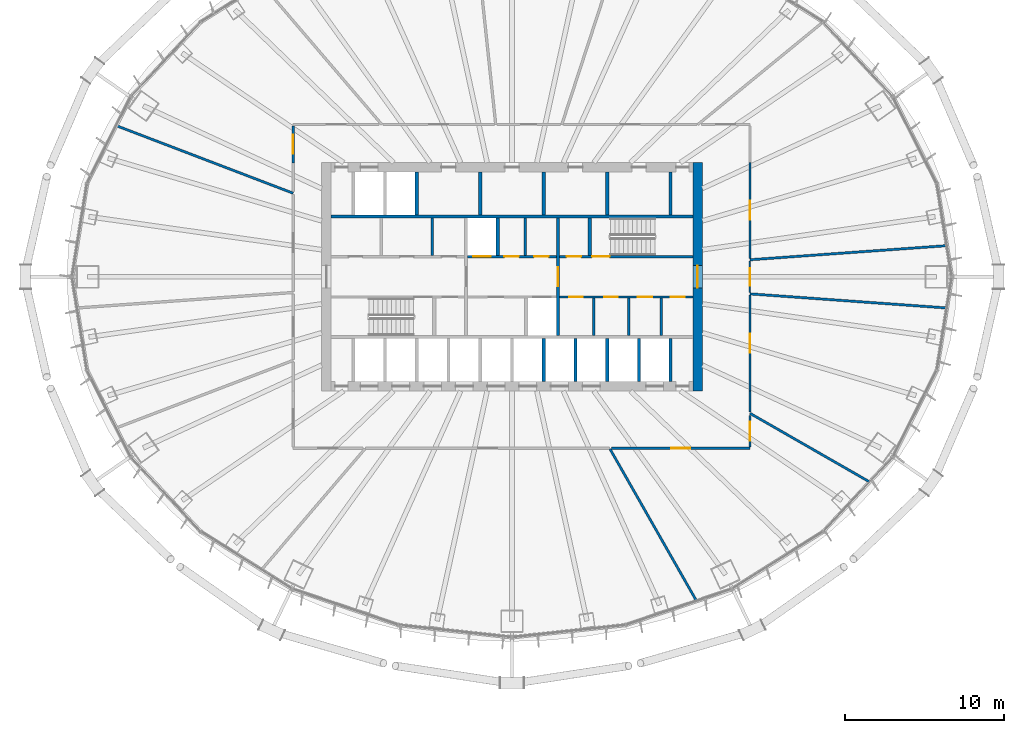
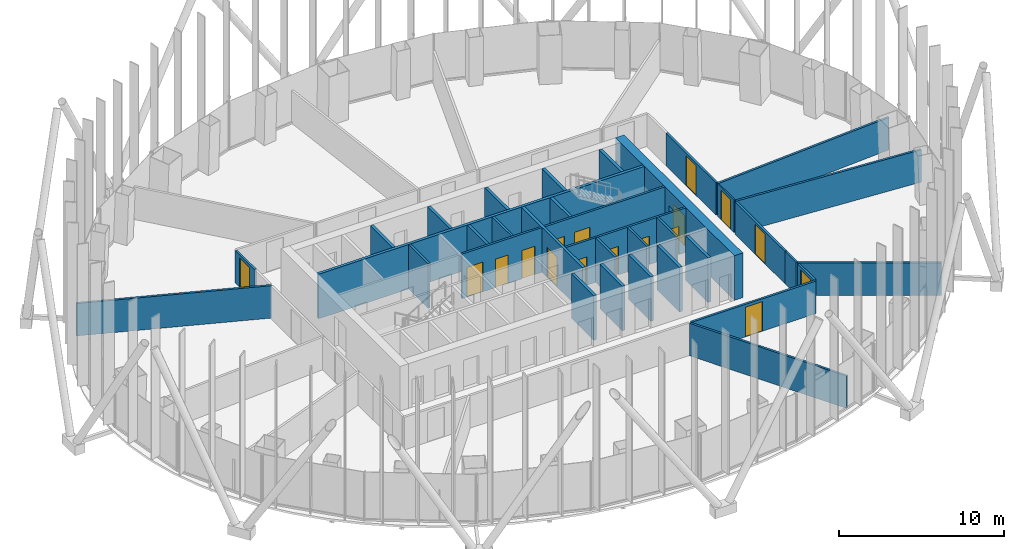
# One storey, part 9 of 22: 35 walls, 17 doors, 17 openings.
"""IFC4 building model written with IfcOpenShell, lengths in metres."""

import ifcopenshell
import ifcopenshell.guid

model = None  # the IFC model being written
_history = None  # IfcOwnerHistory: only IFC2X3 demands one
_inside = {}  # id of a spatial element -> (the spatial element, [elements in it])
_under = {}  # id of a project, library or spatial element -> (it, [spatial elements below it])
_declared = {}  # id of a project -> (the project, [libraries it declares])
_typed = {}  # id of a type object -> (the type object, [elements of that type])
_made_of = {}  # id of a material, layer set ... -> (it, [elements and type objects made of it])


def new_model(schema):
    """Start an empty IFC model of exactly this schema.

    Asked for "IFC4X3", IfcOpenShell would pick the latest addendum, in which some entities
    have other attributes; the version numbers below select the first issue.
    IFC2X3 requires an IfcOwnerHistory on every rooted entity: one is made here for all.
    """
    global model, _history
    if schema == "IFC4X3":
        model = ifcopenshell.file(schema_version=(4, 3, 0, 0))
    else:
        model = ifcopenshell.file(schema=schema)
    _inside.clear()
    _under.clear()
    _declared.clear()
    _typed.clear()
    _made_of.clear()
    _history = None
    if model.schema == "IFC2X3":
        org = make("IfcOrganization", Name="unknown")
        user = make(
            "IfcPersonAndOrganization",
            ThePerson=make("IfcPerson", FamilyName="unknown"),
            TheOrganization=org,
        )
        app = make(
            "IfcApplication",
            ApplicationDeveloper=org,
            Version="unknown",
            ApplicationFullName="unknown",
            ApplicationIdentifier="unknown",
        )
        _history = make(
            "IfcOwnerHistory",
            OwningUser=user,
            OwningApplication=app,
            ChangeAction="ADDED",
            CreationDate=0,
        )
    return model


def make(cls, **values):
    """One entity of the class cls with the attributes given. An attribute that is None is left unset."""
    return model.create_entity(
        cls, **{name: value for name, value in values.items() if value is not None}
    )


def rooted(cls, **values):
    """An entity with a GlobalId (a new one), such as an element, a storey or a relation."""
    return make(cls, GlobalId=ifcopenshell.guid.new(), OwnerHistory=_history, **values)


def si_unit(unit_type, name, prefix=None):
    """IfcSIUnit, for example si_unit("LENGTHUNIT", "METRE", prefix="MILLI")."""
    return make("IfcSIUnit", UnitType=unit_type, Prefix=prefix, Name=name)


def assignment(units):
    """IfcUnitAssignment: the units of a project."""
    return None if units is None else make("IfcUnitAssignment", Units=units)


def point(xyz):
    """IfcCartesianPoint."""
    return None if xyz is None else make("IfcCartesianPoint", Coordinates=xyz)


def direction(xyz):
    """IfcDirection."""
    return None if xyz is None else make("IfcDirection", DirectionRatios=xyz)


def frame(location, z_axis=None, x_axis=None):
    """IfcAxis2Placement3D, a coordinate frame: its origin and axes. An axis left out is left unset."""
    return make(
        "IfcAxis2Placement3D",
        Location=point(location),
        Axis=direction(z_axis),
        RefDirection=direction(x_axis),
    )


def frame_2d(location, x_axis=None):
    """IfcAxis2Placement2D, a coordinate frame in the plane: its origin and x axis."""
    return make(
        "IfcAxis2Placement2D", Location=point(location), RefDirection=direction(x_axis)
    )


def origin():
    """The frame at (0, 0, 0) with its axes left unset."""
    return frame((0.0, 0.0, 0.0))


def place(relative_to, where):
    """IfcLocalPlacement: puts the frame where relative to a parent placement (None: the world)."""
    return make(
        "IfcLocalPlacement", PlacementRelTo=relative_to, RelativePlacement=where
    )


def context(
    kind, dimensions, precision=None, world=None, true_north=None, identifier=None
):
    """IfcGeometricRepresentationContext, for example the 3D "Model" context."""
    return make(
        "IfcGeometricRepresentationContext",
        ContextIdentifier=identifier,
        ContextType=kind,
        CoordinateSpaceDimension=dimensions,
        Precision=precision,
        WorldCoordinateSystem=world,
        TrueNorth=true_north,
    )


def subcontext(parent, identifier, kind, view, scale=None):
    """IfcGeometricRepresentationSubContext, for example "Body" below "Model"."""
    return make(
        "IfcGeometricRepresentationSubContext",
        ContextIdentifier=identifier,
        ContextType=kind,
        ParentContext=parent,
        TargetScale=scale,
        TargetView=view,
    )


def project(units=None, contexts=None):
    """IfcProject with its units and contexts."""
    return rooted(
        "IfcProject",
        Name="project",
        RepresentationContexts=contexts,
        UnitsInContext=assignment(units),
    )


def spatial(cls, under=None, at=None, **own):
    """A site, building, storey or space (cls), placed at a placement, below another one or the project."""
    s = rooted(cls, ObjectPlacement=at, **own)
    if under is not None:
        _under.setdefault(under.id(), (under, []))[1].append(s)
    return s


def profile(cls, at=None, kind="AREA", **sizes):
    """A parametric profile (cls). Its sizes go by their IFC names, for example OverallWidth=200.0."""
    return make(cls, ProfileType=kind, Position=at, **sizes)


def rectangle(**sizes):
    """IfcRectangleProfileDef."""
    return profile("IfcRectangleProfileDef", **sizes)


def extrude(swept, where, along, depth):
    """IfcExtrudedAreaSolid: the profile swept, set in the frame where, extruded along a direction by depth."""
    return make(
        "IfcExtrudedAreaSolid",
        SweptArea=swept,
        Position=where,
        ExtrudedDirection=direction(along),
        Depth=depth,
    )


def shape(context_of_items, identifier, shape_type, items):
    """IfcShapeRepresentation: the items that make up one representation, for example the "Body"."""
    return make(
        "IfcShapeRepresentation",
        ContextOfItems=context_of_items,
        RepresentationIdentifier=identifier,
        RepresentationType=shape_type,
        Items=items,
    )


def material(Name=None, Category=None):
    """IfcMaterial."""
    return make("IfcMaterial", Name=Name, Category=Category)


def layer(
    of_material, thickness, ventilated=None, Name=None, Category=None, Priority=None
):
    """IfcMaterialLayer: one layer of a wall or slab, of a material (None: an air gap)."""
    return make(
        "IfcMaterialLayer",
        Material=of_material,
        LayerThickness=thickness,
        IsVentilated=ventilated,
        Name=Name,
        Category=Category,
        Priority=Priority,
    )


def layer_set(layers, Name=None):
    """IfcMaterialLayerSet."""
    return make("IfcMaterialLayerSet", MaterialLayers=layers, LayerSetName=Name)


def made_of(thing, what):
    """Note that an element or type object is made of a material, layer set ...; save() writes the relation."""
    if what is not None:
        _made_of.setdefault(what.id(), (what, []))[1].append(thing)
    return thing


def type_object(cls, material=None, **own):
    """A type object (cls), such as IfcWallType, which elements share."""
    return made_of(rooted(cls, **own), material)


def element(
    cls,
    number,
    at=None,
    inside=None,
    cuts=None,
    type_object=None,
    material=None,
    context=None,
    identifier="Body",
    shape_type=None,
    held_by="IfcProductDefinitionShape",
    body=None,
    shapes=None,
    **own,
):
    """One element of the class cls, such as IfcWall. Its Tag is "e" and its number.

    at: its placement. inside: the storey or other place that contains it. cuts: it is an
    opening in that element (IfcRelVoidsElement). A single representation is given by context,
    identifier, shape_type and body (its items); several are given by shapes. held_by: the class
    of the entity that holds the representations. save() writes the other relations.
    """
    e = rooted(cls, Tag="e%d" % number, ObjectPlacement=at, **own)
    if body is not None:
        shapes = [shape(context, identifier, shape_type, body)]
    if shapes is not None:
        e.Representation = make(held_by, Representations=shapes)
    if inside is not None:
        _inside.setdefault(inside.id(), (inside, []))[1].append(e)
    if cuts is not None:
        rooted(
            "IfcRelVoidsElement", RelatingBuildingElement=cuts, RelatedOpeningElement=e
        )
    if type_object is not None:
        _typed.setdefault(type_object.id(), (type_object, []))[1].append(e)
    return made_of(e, material)


def fill(opening, filler):
    """IfcRelFillsElement: the door or window that sits in an opening."""
    return rooted(
        "IfcRelFillsElement",
        RelatingOpeningElement=opening,
        RelatedBuildingElement=filler,
    )


def aggregate(whole, parts):
    """IfcRelAggregates: a whole, such as a stair, and the parts it consists of."""
    return rooted("IfcRelAggregates", RelatingObject=whole, RelatedObjects=parts)


def save(model, path):
    """Write the relations noted so far, then the file.

    IfcRelAggregates (storeys below a building ...), IfcRelContainedInSpatialStructure (elements
    in a storey), IfcRelDefinesByType, IfcRelAssociatesMaterial and IfcRelDeclares: one each for
    every whole, place, type object, material and project.
    """
    for whole, parts in _under.values():
        aggregate(whole, parts)
    for where, things in _inside.values():
        rooted(
            "IfcRelContainedInSpatialStructure",
            RelatedElements=things,
            RelatingStructure=where,
        )
    for kind, things in _typed.values():
        rooted("IfcRelDefinesByType", RelatedObjects=things, RelatingType=kind)
    for what, things in _made_of.values():
        rooted("IfcRelAssociatesMaterial", RelatedObjects=things, RelatingMaterial=what)
    for by, libraries in _declared.values():
        rooted("IfcRelDeclares", RelatingContext=by, RelatedDefinitions=libraries)
    model.write(path)


model = new_model("IFC4")

# Units and contexts
model_context = context("Model", 3, precision=1e-05, world=origin(), true_north=direction((0.0, 1.0)))
body_context = subcontext(model_context, "Body", "Model", "MODEL_VIEW")
ifc_project = project(units=[si_unit("LENGTHUNIT", "METRE"), si_unit("AREAUNIT", "SQUARE_METRE"), si_unit("VOLUMEUNIT", "CUBIC_METRE"), si_unit("PLANEANGLEUNIT", "RADIAN"), si_unit("MASSUNIT", "GRAM", prefix="KILO")], contexts=[model_context])

# Site, building, storey
site_placement = place(None, origin())
site = spatial("IfcSite", under=ifc_project, at=site_placement, CompositionType="ELEMENT")
building_placement = place(site_placement, origin())
building = spatial("IfcBuilding", under=site, at=building_placement, Name="Siaravel Broadcast Tower", CompositionType="ELEMENT")
storey_placement = place(building_placement, frame((0.0, 0.0, 48.199951171875)))
storey = spatial("IfcBuildingStorey", under=building, at=storey_placement, Name="L10", CompositionType="ELEMENT", Elevation=48.199951171875)

# Walls
ifc_material_1 = material(Name="Concrete blockwork", Category="masonry")
ifc_layer_1 = layer(ifc_material_1, 0.14990234375)
ifc_layer_set_1 = layer_set([ifc_layer_1], Name="Concrete blockwork")
wall_type_1 = type_object("IfcWallType", Name="Core partition 150", PredefinedType="PARTITIONING", material=ifc_layer_set_1)
for number, where, z_axis, x_axis, name in (
    (1, (-5.01904296875, 1.35009765625, 0.0), (0.0, 0.0, 1.0), (0.0, 1.0, 0.0), "L10 core partition PNW1"),
    (2, (5.14208984375, -3.699951171875, 0.0), (0.0, 0.0, 1.0), (0.0, 1.0, 0.0), "L10 core partition PSE0"),
    (3, (7.35888671875, -3.699951171875, 0.0), (0.0, 0.0, 1.0), (0.0, 1.0, 0.0), "L10 core partition PSE1"),
    (4, (9.4169921875, -3.699951171875, 0.0), (0.0, 0.0, 1.0), (0.0, 1.0, 0.0), "L10 core partition PSE2"),
    (5, (0.827392578125, 1.35009765625, 0.0), (0.0, 0.0, 1.0), (0.0, 1.0, 0.0), "L10 core partition PNM0"),
):
    element("IfcWall", number, at=place(storey_placement, frame(where, z_axis=z_axis, x_axis=x_axis)), inside=storey, type_object=wall_type_1, Name=name, PredefinedType="PARTITIONING", context=body_context, shape_type="SweptSolid", body=[
        extrude(rectangle(XDim=2.349853515625, YDim=0.14990234375, at=frame_2d((1.1748046875, 0.0))), origin(), (0.0, 0.0, 1.0), 3.300048828125),
    ])
ifc_layer_2 = layer(ifc_material_1, 0.199951171875)
ifc_layer_set_2 = layer_set([ifc_layer_2], Name="Concrete blockwork")
wall_type_2 = type_object("IfcWallType", Name="Core partition 200", PredefinedType="PARTITIONING", material=ifc_layer_set_2)
for number, where, z_axis, x_axis, name in (
    (6, (-2.0, 3.89990234375, 0.0), (0.0, 0.0, 1.0), (0.0, 1.0, 0.0), "L10 core partition PFN2"),
    (7, (2.0, 3.89990234375, 0.0), (0.0, 0.0, 1.0), (0.0, 1.0, 0.0), "L10 core partition PFN4"),
    (8, (6.0, 3.89990234375, 0.0), (0.0, 0.0, 1.0), (0.0, 1.0, 0.0), "L10 core partition PFN6"),
):
    element("IfcWall", number, at=place(storey_placement, frame(where, z_axis=z_axis, x_axis=x_axis)), inside=storey, type_object=wall_type_2, Name=name, PredefinedType="PARTITIONING", context=body_context, shape_type="SweptSolid", body=[
        extrude(rectangle(XDim=2.7001953125, YDim=0.199951171875, at=frame_2d((1.35009765625, 0.0))), origin(), (0.0, 0.0, 1.0), 3.300048828125),
    ])

# Wall, opening, door
ifc_material_2 = material(Name="Concrete C60/75", Category="concrete")
ifc_layer_3 = layer(ifc_material_2, 0.60009765625)
ifc_layer_set_3 = layer_set([ifc_layer_3], Name="Concrete C60/75")
wall_type_3 = type_object("IfcWallType", Name="Core wall 600", PredefinedType="SHEAR", material=ifc_layer_set_3)
wall_1_placement = place(storey_placement, frame((11.699951171875, -7.199951171875, 0.0), z_axis=(0.0, 0.0, 1.0), x_axis=(0.0, 1.0, 0.0)))
wall_1 = element("IfcWall", 9, at=wall_1_placement, inside=storey, type_object=wall_type_3, Name="L10 core wall OE", PredefinedType="SHEAR", context=body_context, shape_type="SweptSolid", body=[
    extrude(rectangle(XDim=14.39990234375, YDim=0.60009765625, at=frame_2d((7.199951171875, 0.0))), origin(), (0.0, 0.0, 1.0), 3.300048828125),
])
opening_1_placement = place(wall_1_placement, frame((6.5, 0.0, 0.0)))
opening_1 = element("IfcOpeningElement", 10, at=opening_1_placement, cuts=wall_1, Name="Opening L10-DX-E", PredefinedType="OPENING", context=body_context, shape_type="SweptSolid", body=[
    extrude(rectangle(XDim=1.39990234375, YDim=2.199951171875, at=frame_2d((0.699951171875, 1.10009765625))), frame((0.0, 0.31005859375, 0.0), z_axis=(0.0, -1.0, 0.0), x_axis=(1.0, 0.0, 0.0)), (0.0, 0.0, 1.0), 0.6201171875),
])
ifc_material_3 = material(Name="Steel", Category="steel")
door_type_1 = type_object("IfcDoorType", Name="Core exit door 1400", OperationType="DOUBLE_DOOR_SINGLE_SWING", PredefinedType="DOOR", material=ifc_material_3)
door_1_placement = place(opening_1_placement, origin())
door_1 = element("IfcDoor", 11, at=door_1_placement, inside=storey, type_object=door_type_1, Name="L10 door DX-E", OperationType="DOUBLE_DOOR_SINGLE_SWING", OverallHeight=2.199951171875, OverallWidth=1.39990234375, PredefinedType="DOOR", context=body_context, shape_type="SweptSolid", body=[
    extrude(rectangle(XDim=1.39990234375, YDim=2.199951171875, at=frame_2d((0.699951171875, 1.10009765625))), frame((0.0, 0.02490234375, 0.0), z_axis=(0.0, -1.0, 0.0), x_axis=(1.0, 0.0, 0.0)), (0.0, 0.0, 1.0), 0.050048828125),
])
fill(opening_1, door_1)

# Wall, openings, doors
ifc_material_4 = material(Name="Gypsum board partition", Category="gypsum")
ifc_layer_4 = layer(ifc_material_4, 0.14990234375)
ifc_layer_set_4 = layer_set([ifc_layer_4], Name="Gypsum board partition")
wall_type_4 = type_object("IfcWallType", Name="Corridor wall 150", PredefinedType="PARTITIONING", material=ifc_layer_set_4)
wall_2_placement = place(storey_placement, frame((3.0, -1.27490234375, 0.0), z_axis=(0.0, 0.0, 1.0), x_axis=(1.0, 0.0, 0.0)))
wall_2 = element("IfcWall", 12, at=wall_2_placement, inside=storey, type_object=wall_type_4, Name="L10 core partition CSE", PredefinedType="PARTITIONING", context=body_context, shape_type="SweptSolid", body=[
    extrude(rectangle(XDim=8.39990234375, YDim=0.14990234375, at=frame_2d((4.199951171875, 0.0))), origin(), (0.0, 0.0, 1.0), 3.300048828125),
])
opening_2_placement = place(wall_2_placement, frame((0.6083984375, 0.0, 0.0)))
opening_2 = element("IfcOpeningElement", 13, at=opening_2_placement, cuts=wall_2, Name="Opening L10-DSE0", PredefinedType="OPENING", context=body_context, shape_type="SweptSolid", body=[
    extrude(rectangle(XDim=0.85009765625, YDim=2.10009765625, at=frame_2d((0.425048828125, 1.050048828125))), frame((0.0, 0.0849609375, 0.0), z_axis=(0.0, -1.0, 0.0), x_axis=(1.0, 0.0, 0.0)), (0.0, 0.0, 1.0), 0.169921875),
])
opening_3_placement = place(wall_2_placement, frame((2.825439453125, 0.0, 0.0)))
opening_3 = element("IfcOpeningElement", 14, at=opening_3_placement, cuts=wall_2, Name="Opening L10-DSE1", PredefinedType="OPENING", context=body_context, shape_type="SweptSolid", body=[
    extrude(rectangle(XDim=0.85009765625, YDim=2.10009765625, at=frame_2d((0.425048828125, 1.050048828125))), frame((0.0, 0.0849609375, 0.0), z_axis=(0.0, -1.0, 0.0), x_axis=(1.0, 0.0, 0.0)), (0.0, 0.0, 1.0), 0.169921875),
])
opening_4_placement = place(wall_2_placement, frame((4.93798828125, 0.0, 0.0)))
opening_4 = element("IfcOpeningElement", 15, at=opening_4_placement, cuts=wall_2, Name="Opening L10-DSE2", PredefinedType="OPENING", context=body_context, shape_type="SweptSolid", body=[
    extrude(rectangle(XDim=0.89990234375, YDim=2.10009765625, at=frame_2d((0.449951171875, 1.050048828125))), frame((0.0, 0.0849609375, 0.0), z_axis=(0.0, -1.0, 0.0), x_axis=(1.0, 0.0, 0.0)), (0.0, 0.0, 1.0), 0.169921875),
])
opening_5_placement = place(wall_2_placement, frame((6.99609375, 0.0, 0.0)))
opening_5 = element("IfcOpeningElement", 16, at=opening_5_placement, cuts=wall_2, Name="Opening L10-DSE3", PredefinedType="OPENING", context=body_context, shape_type="SweptSolid", body=[
    extrude(rectangle(XDim=0.89990234375, YDim=2.10009765625, at=frame_2d((0.449951171875, 1.050048828125))), frame((0.0, 0.0849609375, 0.0), z_axis=(0.0, -1.0, 0.0), x_axis=(1.0, 0.0, 0.0)), (0.0, 0.0, 1.0), 0.169921875),
])
ifc_material_5 = material(Name="Timber veneer", Category="wood")
door_type_2 = type_object("IfcDoorType", Name="Core room door 900", OperationType="SINGLE_SWING_LEFT", PredefinedType="DOOR", material=ifc_material_5)
door_2_placement = place(opening_4_placement, origin())
door_2 = element("IfcDoor", 17, at=door_2_placement, inside=storey, type_object=door_type_2, Name="L10 door DSE2", OperationType="SINGLE_SWING_LEFT", OverallHeight=2.10009765625, OverallWidth=0.89990234375, PredefinedType="DOOR", context=body_context, shape_type="SweptSolid", body=[
    extrude(rectangle(XDim=0.89990234375, YDim=2.10009765625, at=frame_2d((0.449951171875, 1.050048828125))), frame((0.0, 0.02490234375, 0.0), z_axis=(0.0, -1.0, 0.0), x_axis=(1.0, 0.0, 0.0)), (0.0, 0.0, 1.0), 0.050048828125),
])
fill(opening_4, door_2)
door_3_placement = place(opening_5_placement, origin())
door_3 = element("IfcDoor", 18, at=door_3_placement, inside=storey, type_object=door_type_2, Name="L10 door DSE3", OperationType="SINGLE_SWING_LEFT", OverallHeight=2.10009765625, OverallWidth=0.89990234375, PredefinedType="DOOR", context=body_context, shape_type="SweptSolid", body=[
    extrude(rectangle(XDim=0.89990234375, YDim=2.10009765625, at=frame_2d((0.449951171875, 1.050048828125))), frame((0.0, 0.02490234375, 0.0), z_axis=(0.0, -1.0, 0.0), x_axis=(1.0, 0.0, 0.0)), (0.0, 0.0, 1.0), 0.050048828125),
])
fill(opening_5, door_3)
door_type_3 = type_object("IfcDoorType", Name="Core toilet door 850", OperationType="SINGLE_SWING_LEFT", PredefinedType="DOOR", material=ifc_material_5)
door_4_placement = place(opening_2_placement, origin())
door_4 = element("IfcDoor", 19, at=door_4_placement, inside=storey, type_object=door_type_3, Name="L10 door DSE0", OperationType="SINGLE_SWING_LEFT", OverallHeight=2.10009765625, OverallWidth=0.85009765625, PredefinedType="DOOR", context=body_context, shape_type="SweptSolid", body=[
    extrude(rectangle(XDim=0.85009765625, YDim=2.10009765625, at=frame_2d((0.425048828125, 1.050048828125))), frame((0.0, 0.02490234375, 0.0), z_axis=(0.0, -1.0, 0.0), x_axis=(1.0, 0.0, 0.0)), (0.0, 0.0, 1.0), 0.050048828125),
])
fill(opening_2, door_4)
door_5_placement = place(opening_3_placement, origin())
door_5 = element("IfcDoor", 20, at=door_5_placement, inside=storey, type_object=door_type_3, Name="L10 door DSE1", OperationType="SINGLE_SWING_LEFT", OverallHeight=2.10009765625, OverallWidth=0.85009765625, PredefinedType="DOOR", context=body_context, shape_type="SweptSolid", body=[
    extrude(rectangle(XDim=0.85009765625, YDim=2.10009765625, at=frame_2d((0.425048828125, 1.050048828125))), frame((0.0, 0.02490234375, 0.0), z_axis=(0.0, -1.0, 0.0), x_axis=(1.0, 0.0, 0.0)), (0.0, 0.0, 1.0), 0.050048828125),
])
fill(opening_3, door_5)

# Wall, opening, door
wall_3_placement = place(storey_placement, frame((6.279296875, -10.800048828125, 0.0), z_axis=(0.0, 0.0, 1.0), x_axis=(1.0, 0.0, 0.0)))
wall_3 = element("IfcWall", 21, at=wall_3_placement, inside=storey, type_object=wall_type_4, Name="L10 partition 13", PredefinedType="PARTITIONING", context=body_context, shape_type="SweptSolid", body=[
    extrude(rectangle(XDim=8.720703125, YDim=0.14990234375, at=frame_2d((4.3603515625, 0.0))), origin(), (0.0, 0.0, 1.0), 2.400146484375),
])
opening_6_placement = place(wall_3_placement, frame((3.760498046875, 0.0, 0.0)))
opening_6 = element("IfcOpeningElement", 22, at=opening_6_placement, cuts=wall_3, Name="Opening L10-013", PredefinedType="OPENING", context=body_context, shape_type="SweptSolid", body=[
    extrude(rectangle(XDim=1.199951171875, YDim=2.199951171875, at=frame_2d((0.60009765625, 1.10009765625))), frame((0.0, 0.0849609375, 0.0), z_axis=(0.0, -1.0, 0.0), x_axis=(1.0, 0.0, 0.0)), (0.0, 0.0, 1.0), 0.169921875),
])
door_type_4 = type_object("IfcDoorType", Name="Office double door 1200", OperationType="DOUBLE_DOOR_SINGLE_SWING", PredefinedType="DOOR", material=ifc_material_5)
door_6_placement = place(opening_6_placement, origin())
door_6 = element("IfcDoor", 23, at=door_6_placement, inside=storey, type_object=door_type_4, Name="L10 door to Open plan newsroom", OperationType="DOUBLE_DOOR_SINGLE_SWING", OverallHeight=2.199951171875, OverallWidth=1.199951171875, PredefinedType="DOOR", context=body_context, shape_type="SweptSolid", body=[
    extrude(rectangle(XDim=1.199951171875, YDim=2.199951171875, at=frame_2d((0.60009765625, 1.10009765625))), frame((0.0, 0.02490234375, 0.0), z_axis=(0.0, -1.0, 0.0), x_axis=(1.0, 0.0, 0.0)), (0.0, 0.0, 1.0), 0.050048828125),
])
fill(opening_6, door_6)

wall_4_placement = place(storey_placement, frame((15.0, -7.2119140625, 0.0), z_axis=(0.0, 0.0, 1.0), x_axis=(0.0, 1.0, 0.0)))
wall_4 = element("IfcWall", 24, at=wall_4_placement, inside=storey, type_object=wall_type_4, Name="L10 partition 18", PredefinedType="PARTITIONING", context=body_context, shape_type="SweptSolid", body=[
    extrude(rectangle(XDim=6.054443359375, YDim=0.14990234375, at=frame_2d((3.02734375, 0.0))), origin(), (0.0, 0.0, 1.0), 2.400146484375),
])
opening_7_placement = place(wall_4_placement, frame((2.42724609375, 0.0, 0.0)))
opening_7 = element("IfcOpeningElement", 25, at=opening_7_placement, cuts=wall_4, Name="Opening L10-015", PredefinedType="OPENING", context=body_context, shape_type="SweptSolid", body=[
    extrude(rectangle(XDim=1.199951171875, YDim=2.199951171875, at=frame_2d((0.60009765625, 1.10009765625))), frame((0.0, 0.0849609375, 0.0), z_axis=(0.0, -1.0, 0.0), x_axis=(1.0, 0.0, 0.0)), (0.0, 0.0, 1.0), 0.169921875),
])
door_7_placement = place(opening_7_placement, origin())
door_7 = element("IfcDoor", 26, at=door_7_placement, inside=storey, type_object=door_type_4, Name="L10 door to Open plan newsroom", OperationType="DOUBLE_DOOR_SINGLE_SWING", OverallHeight=2.199951171875, OverallWidth=1.199951171875, PredefinedType="DOOR", context=body_context, shape_type="SweptSolid", body=[
    extrude(rectangle(XDim=1.199951171875, YDim=2.199951171875, at=frame_2d((0.60009765625, 1.10009765625))), frame((0.0, 0.02490234375, 0.0), z_axis=(0.0, -1.0, 0.0), x_axis=(1.0, 0.0, 0.0)), (0.0, 0.0, 1.0), 0.050048828125),
])
fill(opening_7, door_7)

wall_5_placement = place(storey_placement, frame((15.0, 1.157470703125, 0.0), z_axis=(0.0, 0.0, 1.0), x_axis=(0.0, 1.0, 0.0)))
wall_5 = element("IfcWall", 27, at=wall_5_placement, inside=storey, type_object=wall_type_4, Name="L10 partition 19", PredefinedType="PARTITIONING", context=body_context, shape_type="SweptSolid", body=[
    extrude(rectangle(XDim=6.054443359375, YDim=0.14990234375, at=frame_2d((3.02734375, 0.0))), origin(), (0.0, 0.0, 1.0), 2.400146484375),
])
opening_8_placement = place(wall_5_placement, frame((2.42724609375, 0.0, 0.0)))
opening_8 = element("IfcOpeningElement", 28, at=opening_8_placement, cuts=wall_5, Name="Opening L10-001", PredefinedType="OPENING", context=body_context, shape_type="SweptSolid", body=[
    extrude(rectangle(XDim=1.199951171875, YDim=2.199951171875, at=frame_2d((0.60009765625, 1.10009765625))), frame((0.0, 0.0849609375, 0.0), z_axis=(0.0, -1.0, 0.0), x_axis=(1.0, 0.0, 0.0)), (0.0, 0.0, 1.0), 0.169921875),
])
door_8_placement = place(opening_8_placement, origin())
door_8 = element("IfcDoor", 29, at=door_8_placement, inside=storey, type_object=door_type_4, Name="L10 door to Open plan newsroom", OperationType="DOUBLE_DOOR_SINGLE_SWING", OverallHeight=2.199951171875, OverallWidth=1.199951171875, PredefinedType="DOOR", context=body_context, shape_type="SweptSolid", body=[
    extrude(rectangle(XDim=1.199951171875, YDim=2.199951171875, at=frame_2d((0.60009765625, 1.10009765625))), frame((0.0, 0.02490234375, 0.0), z_axis=(0.0, -1.0, 0.0), x_axis=(1.0, 0.0, 0.0)), (0.0, 0.0, 1.0), 0.050048828125),
])
fill(opening_8, door_8)

wall_6_placement = place(storey_placement, frame((-13.800048828125, 9.52294921875, 0.0), z_axis=(0.0, 0.0, 1.0), x_axis=(0.0, -1.0, 0.0)))
wall_6 = element("IfcWall", 30, at=wall_6_placement, inside=storey, type_object=wall_type_4, Name="L10 partition 26", PredefinedType="PARTITIONING", context=body_context, shape_type="SweptSolid", body=[
    extrude(rectangle(XDim=2.3349609375, YDim=0.14990234375, at=frame_2d((1.16748046875, 0.0))), origin(), (0.0, 0.0, 1.0), 2.400146484375),
])
opening_9_placement = place(wall_6_placement, frame((0.5673828125, 0.0, 0.0)))
opening_9 = element("IfcOpeningElement", 31, at=opening_9_placement, cuts=wall_6, Name="Opening L10-007", PredefinedType="OPENING", context=body_context, shape_type="SweptSolid", body=[
    extrude(rectangle(XDim=1.199951171875, YDim=2.199951171875, at=frame_2d((0.60009765625, 1.10009765625))), frame((0.0, 0.0849609375, 0.0), z_axis=(0.0, -1.0, 0.0), x_axis=(1.0, 0.0, 0.0)), (0.0, 0.0, 1.0), 0.169921875),
])
door_9_placement = place(opening_9_placement, origin())
door_9 = element("IfcDoor", 32, at=door_9_placement, inside=storey, type_object=door_type_4, Name="L10 door to Open plan newsroom", OperationType="DOUBLE_DOOR_SINGLE_SWING", OverallHeight=2.199951171875, OverallWidth=1.199951171875, PredefinedType="DOOR", context=body_context, shape_type="SweptSolid", body=[
    extrude(rectangle(XDim=1.199951171875, YDim=2.199951171875, at=frame_2d((0.60009765625, 1.10009765625))), frame((0.0, 0.02490234375, 0.0), z_axis=(0.0, -1.0, 0.0), x_axis=(1.0, 0.0, 0.0)), (0.0, 0.0, 1.0), 0.050048828125),
])
fill(opening_9, door_9)

wall_7_placement = place(storey_placement, frame((15.0, -10.722900390625, 0.0), z_axis=(0.0, 0.0, 1.0), x_axis=(0.0, 1.0, 0.0)))
wall_7 = element("IfcWall", 33, at=wall_7_placement, inside=storey, type_object=wall_type_4, Name="L10 partition 28", PredefinedType="PARTITIONING", context=body_context, shape_type="SweptSolid", body=[
    extrude(rectangle(XDim=1.98828125, YDim=0.14990234375, at=frame_2d((0.994140625, 0.0))), origin(), (0.0, 0.0, 1.0), 2.400146484375),
])
opening_10_placement = place(wall_7_placement, frame((0.394287109375, 0.0, 0.0)))
opening_10 = element("IfcOpeningElement", 34, at=opening_10_placement, cuts=wall_7, Name="Opening L10-014", PredefinedType="OPENING", context=body_context, shape_type="SweptSolid", body=[
    extrude(rectangle(XDim=1.199951171875, YDim=2.199951171875, at=frame_2d((0.60009765625, 1.10009765625))), frame((0.0, 0.0849609375, 0.0), z_axis=(0.0, -1.0, 0.0), x_axis=(1.0, 0.0, 0.0)), (0.0, 0.0, 1.0), 0.169921875),
])
door_10_placement = place(opening_10_placement, origin())
door_10 = element("IfcDoor", 35, at=door_10_placement, inside=storey, type_object=door_type_4, Name="L10 door to Open plan newsroom", OperationType="DOUBLE_DOOR_SINGLE_SWING", OverallHeight=2.199951171875, OverallWidth=1.199951171875, PredefinedType="DOOR", context=body_context, shape_type="SweptSolid", body=[
    extrude(rectangle(XDim=1.199951171875, YDim=2.199951171875, at=frame_2d((0.60009765625, 1.10009765625))), frame((0.0, 0.02490234375, 0.0), z_axis=(0.0, -1.0, 0.0), x_axis=(1.0, 0.0, 0.0)), (0.0, 0.0, 1.0), 0.050048828125),
])
fill(opening_10, door_10)

# Wall
wall_8_placement = place(storey_placement, frame((15.0, -8.5361328125, 0.0), z_axis=(0.0, 0.0, 1.0), x_axis=(0.0, 1.0, 0.0)))
element("IfcWall", 36, at=wall_8_placement, inside=storey, type_object=wall_type_4, Name="L10 partition 32", PredefinedType="PARTITIONING", context=body_context, shape_type="SweptSolid", body=[
    extrude(rectangle(XDim=1.3232421875, YDim=0.14990234375, at=frame_2d((0.66162109375, 0.0))), origin(), (0.0, 0.0, 1.0), 2.400146484375),
])

# Wall, opening, door
ifc_material_6 = material(Name="Glazed aluminium partition", Category="aluminium")
ifc_layer_5 = layer(ifc_material_6, 0.10009765625)
ifc_layer_set_5 = layer_set([ifc_layer_5], Name="Glazed aluminium partition")
wall_type_5 = type_object("IfcWallType", Name="Glazed meeting room partition 100", PredefinedType="PARTITIONING", material=ifc_layer_set_5)
wall_9_placement = place(storey_placement, frame((15.0, -0.998046875, 0.0), z_axis=(0.0, 0.0, 1.0), x_axis=(0.0, 1.0, 0.0)))
wall_9 = element("IfcWall", 37, at=wall_9_placement, inside=storey, type_object=wall_type_5, Name="L10 partition 29", PredefinedType="PARTITIONING", context=body_context, shape_type="SweptSolid", body=[
    extrude(rectangle(XDim=1.99609375, YDim=0.10009765625, at=frame_2d((0.998046875, 0.0))), origin(), (0.0, 0.0, 1.0), 2.400146484375),
])
opening_11_placement = place(wall_9_placement, frame((0.447998046875, 0.0, 0.0)))
opening_11 = element("IfcOpeningElement", 38, at=opening_11_placement, cuts=wall_9, Name="Opening L10-016", PredefinedType="OPENING", context=body_context, shape_type="SweptSolid", body=[
    extrude(rectangle(XDim=1.10009765625, YDim=2.199951171875, at=frame_2d((0.550048828125, 1.10009765625))), frame((0.0, 0.06005859375, 0.0), z_axis=(0.0, -1.0, 0.0), x_axis=(1.0, 0.0, 0.0)), (0.0, 0.0, 1.0), 0.1201171875),
])
door_type_5 = type_object("IfcDoorType", Name="Meeting room door 1100", OperationType="SINGLE_SWING_LEFT", PredefinedType="DOOR", material=ifc_material_5)
door_11_placement = place(opening_11_placement, origin())
door_11 = element("IfcDoor", 39, at=door_11_placement, inside=storey, type_object=door_type_5, Name="L10 door to Meeting room", OperationType="SINGLE_SWING_RIGHT", OverallHeight=2.199951171875, OverallWidth=1.10009765625, PredefinedType="DOOR", context=body_context, shape_type="SweptSolid", body=[
    extrude(rectangle(XDim=1.10009765625, YDim=2.199951171875, at=frame_2d((0.550048828125, 1.10009765625))), frame((0.0, 0.02490234375, 0.0), z_axis=(0.0, -1.0, 0.0), x_axis=(1.0, 0.0, 0.0)), (0.0, 0.0, 1.0), 0.050048828125),
])
fill(opening_11, door_11)

# Walls
ifc_layer_6 = layer(ifc_material_4, 0.14990234375)
ifc_layer_set_6 = layer_set([ifc_layer_6], Name="Gypsum board partition")
wall_type_6 = type_object("IfcWallType", Name="Room partition 150", PredefinedType="PARTITIONING", material=ifc_layer_set_6)
for number, where, z_axis, x_axis, name in (
    (40, (15.0, 1.074951171875, 0.0), (0.0, 0.0, 1.0), (0.997442798, 0.071469326, 0.0), "L10 partition 5"),
    (41, (27.45703125, -1.967529296875, 0.0), (0.0, 0.0, 1.0), (-0.997442798, 0.071469326, 0.0), "L10 partition 6"),
):
    element("IfcWall", number, at=place(storey_placement, frame(where, z_axis=z_axis, x_axis=x_axis)), inside=storey, type_object=wall_type_6, Name=name, PredefinedType="PARTITIONING", context=body_context, shape_type="SweptSolid", body=[
        extrude(rectangle(XDim=12.489013671875, YDim=0.14990234375, at=frame_2d((6.24462890625, 0.0))), origin(), (0.0, 0.0, 1.0), 2.400146484375),
    ])
wall_10_placement = place(storey_placement, frame((-24.9755859375, 9.539794921875, 0.0), z_axis=(0.0, 0.0, 1.0), x_axis=(0.934168918, -0.356831098, 0.0)))
element("IfcWall", 42, at=wall_10_placement, inside=storey, type_object=wall_type_6, Name="L10 partition 7", PredefinedType="PARTITIONING", context=body_context, shape_type="SweptSolid", body=[
    extrude(rectangle(XDim=11.963134765625, YDim=0.14990234375, at=frame_2d((5.9814453125, 0.0))), origin(), (0.0, 0.0, 1.0), 2.400146484375),
])
wall_11_placement = place(storey_placement, frame((11.63916015625, -20.4453125, 0.0), z_axis=(0.0, 0.0, 1.0), x_axis=(-0.494739272, 0.869041456, 0.0)))
element("IfcWall", 43, at=wall_11_placement, inside=storey, type_object=wall_type_6, Name="L10 partition 10", PredefinedType="PARTITIONING", context=body_context, shape_type="SweptSolid", body=[
    extrude(rectangle(XDim=11.031494140625, YDim=0.14990234375, at=frame_2d((5.515625, 0.0))), origin(), (0.0, 0.0, 1.0), 2.400146484375),
])
wall_12_placement = place(storey_placement, frame((22.57080078125, -12.9453125, 0.0), z_axis=(0.0, 0.0, 1.0), x_axis=(-0.867458802, 0.497509022, 0.0)))
element("IfcWall", 44, at=wall_12_placement, inside=storey, type_object=wall_type_6, Name="L10 partition 14", PredefinedType="PARTITIONING", context=body_context, shape_type="SweptSolid", body=[
    extrude(rectangle(XDim=8.7275390625, YDim=0.14990234375, at=frame_2d((4.36376953125, 0.0))), origin(), (0.0, 0.0, 1.0), 2.400146484375),
])

# Wall, openings, doors
ifc_layer_7 = layer(ifc_material_2, 0.14990234375)
ifc_layer_set_7 = layer_set([ifc_layer_7], Name="Concrete C60/75")
wall_type_7 = type_object("IfcWallType", Name="Shaft wall 150", PredefinedType="SHEAR", material=ifc_layer_set_7)
wall_13_placement = place(storey_placement, frame((-2.800048828125, 1.27490234375, 0.0), z_axis=(0.0, 0.0, 1.0), x_axis=(1.0, 0.0, 0.0)))
wall_13 = element("IfcWall", 45, at=wall_13_placement, inside=storey, type_object=wall_type_7, Name="L10 core wall CNM", PredefinedType="SHEAR", context=body_context, shape_type="SweptSolid", body=[
    extrude(rectangle(XDim=5.60009765625, YDim=0.14990234375, at=frame_2d((2.800048828125, 0.0))), origin(), (0.0, 0.0, 1.0), 3.300048828125),
])
opening_12_placement = place(wall_13_placement, frame((0.35009765625, 0.0, 0.0)))
opening_12 = element("IfcOpeningElement", 46, at=opening_12_placement, cuts=wall_13, Name="Opening LD-FL1-L10", PredefinedType="OPENING", context=body_context, shape_type="SweptSolid", body=[
    extrude(rectangle(XDim=1.10009765625, YDim=2.199951171875, at=frame_2d((0.550048828125, 1.10009765625))), frame((0.0, 0.0849609375, 0.0), z_axis=(0.0, -1.0, 0.0), x_axis=(1.0, 0.0, 0.0)), (0.0, 0.0, 1.0), 0.169921875),
])
opening_13_placement = place(wall_13_placement, frame((2.326171875, 0.0, 0.0)))
opening_13 = element("IfcOpeningElement", 47, at=opening_13_placement, cuts=wall_13, Name="Opening L10-DNM0", PredefinedType="OPENING", context=body_context, shape_type="SweptSolid", body=[
    extrude(rectangle(XDim=0.89990234375, YDim=2.10009765625, at=frame_2d((0.449951171875, 1.050048828125))), frame((0.0, 0.0849609375, 0.0), z_axis=(0.0, -1.0, 0.0), x_axis=(1.0, 0.0, 0.0)), (0.0, 0.0, 1.0), 0.169921875),
])
opening_14_placement = place(wall_13_placement, frame((4.201171875, 0.0, 0.0)))
opening_14 = element("IfcOpeningElement", 48, at=opening_14_placement, cuts=wall_13, Name="Opening L10-DNM1", PredefinedType="OPENING", context=body_context, shape_type="SweptSolid", body=[
    extrude(rectangle(XDim=0.89990234375, YDim=2.10009765625, at=frame_2d((0.449951171875, 1.050048828125))), frame((0.0, 0.0849609375, 0.0), z_axis=(0.0, -1.0, 0.0), x_axis=(1.0, 0.0, 0.0)), (0.0, 0.0, 1.0), 0.169921875),
])
door_12_placement = place(opening_13_placement, origin())
door_12 = element("IfcDoor", 49, at=door_12_placement, inside=storey, type_object=door_type_2, Name="L10 door DNM0", OperationType="SINGLE_SWING_LEFT", OverallHeight=2.10009765625, OverallWidth=0.89990234375, PredefinedType="DOOR", context=body_context, shape_type="SweptSolid", body=[
    extrude(rectangle(XDim=0.89990234375, YDim=2.10009765625, at=frame_2d((0.449951171875, 1.050048828125))), frame((0.0, 0.02490234375, 0.0), z_axis=(0.0, -1.0, 0.0), x_axis=(1.0, 0.0, 0.0)), (0.0, 0.0, 1.0), 0.050048828125),
])
fill(opening_13, door_12)
door_13_placement = place(opening_14_placement, origin())
door_13 = element("IfcDoor", 50, at=door_13_placement, inside=storey, type_object=door_type_2, Name="L10 door DNM1", OperationType="SINGLE_SWING_LEFT", OverallHeight=2.10009765625, OverallWidth=0.89990234375, PredefinedType="DOOR", context=body_context, shape_type="SweptSolid", body=[
    extrude(rectangle(XDim=0.89990234375, YDim=2.10009765625, at=frame_2d((0.449951171875, 1.050048828125))), frame((0.0, 0.02490234375, 0.0), z_axis=(0.0, -1.0, 0.0), x_axis=(1.0, 0.0, 0.0)), (0.0, 0.0, 1.0), 0.050048828125),
])
fill(opening_14, door_13)
ifc_material_7 = material(Name="Stainless steel 316L", Category="steel")
door_type_6 = type_object("IfcDoorType", Name="Firefighting lift landing door 1100", OperationType="DOUBLE_DOOR_SLIDING", PredefinedType="DOOR", material=ifc_material_7)
door_14_placement = place(opening_12_placement, origin())
door_14 = element("IfcDoor", 51, at=door_14_placement, inside=storey, type_object=door_type_6, Name="Landing door FL1 L10", OperationType="DOUBLE_DOOR_SLIDING", OverallHeight=2.199951171875, OverallWidth=1.10009765625, PredefinedType="DOOR", context=body_context, shape_type="SweptSolid", body=[
    extrude(rectangle(XDim=1.10009765625, YDim=2.199951171875, at=frame_2d((0.550048828125, 1.10009765625))), frame((0.0, 0.02490234375, 0.0), z_axis=(0.0, -1.0, 0.0), x_axis=(1.0, 0.0, 0.0)), (0.0, 0.0, 1.0), 0.050048828125),
])
fill(opening_12, door_14)

wall_14_placement = place(storey_placement, frame((3.0, 1.27490234375, 0.0), z_axis=(0.0, 0.0, 1.0), x_axis=(1.0, 0.0, 0.0)))
wall_14 = element("IfcWall", 52, at=wall_14_placement, inside=storey, type_object=wall_type_7, Name="L10 core wall CNE", PredefinedType="SHEAR", context=body_context, shape_type="SweptSolid", body=[
    extrude(rectangle(XDim=8.39990234375, YDim=0.14990234375, at=frame_2d((4.199951171875, 0.0))), origin(), (0.0, 0.0, 1.0), 3.300048828125),
])
opening_15_placement = place(wall_14_placement, frame((2.050048828125, 0.0, 0.0)))
opening_15 = element("IfcOpeningElement", 53, at=opening_15_placement, cuts=wall_14, Name="Opening L10-DS-2", PredefinedType="OPENING", context=body_context, shape_type="SweptSolid", body=[
    extrude(rectangle(XDim=1.10009765625, YDim=2.14990234375, at=frame_2d((0.550048828125, 1.074951171875))), frame((0.0, 0.0849609375, 0.0), z_axis=(0.0, -1.0, 0.0), x_axis=(1.0, 0.0, 0.0)), (0.0, 0.0, 1.0), 0.169921875),
])
opening_16_placement = place(wall_14_placement, frame((0.449951171875, 0.0, 0.0)))
opening_16 = element("IfcOpeningElement", 54, at=opening_16_placement, cuts=wall_14, Name="Opening L10-DNE0", PredefinedType="OPENING", context=body_context, shape_type="SweptSolid", body=[
    extrude(rectangle(XDim=0.89990234375, YDim=2.10009765625, at=frame_2d((0.449951171875, 1.050048828125))), frame((0.0, 0.0849609375, 0.0), z_axis=(0.0, -1.0, 0.0), x_axis=(1.0, 0.0, 0.0)), (0.0, 0.0, 1.0), 0.169921875),
])
door_15_placement = place(opening_16_placement, origin())
door_15 = element("IfcDoor", 55, at=door_15_placement, inside=storey, type_object=door_type_2, Name="L10 door DNE0", OperationType="SINGLE_SWING_LEFT", OverallHeight=2.10009765625, OverallWidth=0.89990234375, PredefinedType="DOOR", context=body_context, shape_type="SweptSolid", body=[
    extrude(rectangle(XDim=0.89990234375, YDim=2.10009765625, at=frame_2d((0.449951171875, 1.050048828125))), frame((0.0, 0.02490234375, 0.0), z_axis=(0.0, -1.0, 0.0), x_axis=(1.0, 0.0, 0.0)), (0.0, 0.0, 1.0), 0.050048828125),
])
fill(opening_16, door_15)
door_type_7 = type_object("IfcDoorType", Name="Stair door 1100", OperationType="SINGLE_SWING_LEFT", PredefinedType="DOOR", material=ifc_material_3)
door_16_placement = place(opening_15_placement, origin())
door_16 = element("IfcDoor", 56, at=door_16_placement, inside=storey, type_object=door_type_7, Name="L10 door DS-2", OperationType="SINGLE_SWING_LEFT", OverallHeight=2.14990234375, OverallWidth=1.10009765625, PredefinedType="DOOR", context=body_context, shape_type="SweptSolid", body=[
    extrude(rectangle(XDim=1.10009765625, YDim=2.14990234375, at=frame_2d((0.550048828125, 1.074951171875))), frame((0.0, 0.02490234375, 0.0), z_axis=(0.0, -1.0, 0.0), x_axis=(1.0, 0.0, 0.0)), (0.0, 0.0, 1.0), 0.050048828125),
])
fill(opening_15, door_16)

# Walls
ifc_layer_8 = layer(ifc_material_2, 0.199951171875)
ifc_layer_set_8 = layer_set([ifc_layer_8], Name="Concrete C60/75")
wall_type_8 = type_object("IfcWallType", Name="Shaft wall 200", PredefinedType="SHEAR", material=ifc_layer_set_8)
wall_15_placement = place(storey_placement, frame((-11.39990234375, 3.800048828125, 0.0), z_axis=(0.0, 0.0, 1.0), x_axis=(1.0, 0.0, 0.0)))
element("IfcWall", 57, at=wall_15_placement, inside=storey, type_object=wall_type_8, Name="L10 core wall BN", PredefinedType="SHEAR", context=body_context, shape_type="SweptSolid", body=[
    extrude(rectangle(XDim=22.7998046875, YDim=0.199951171875, at=frame_2d((11.39990234375, 0.0))), origin(), (0.0, 0.0, 1.0), 3.300048828125),
])
for number, where, z_axis, x_axis, name in (
    (58, (2.0, -6.60009765625, 0.0), (0.0, 0.0, 1.0), (0.0, 1.0, 0.0), "L10 core wall SWS6"),
    (59, (4.0, -6.60009765625, 0.0), (0.0, 0.0, 1.0), (0.0, 1.0, 0.0), "L10 core wall SWS7"),
    (60, (6.0, -6.60009765625, 0.0), (0.0, 0.0, 1.0), (0.0, 1.0, 0.0), "L10 core wall SWS8"),
    (61, (8.0, -6.60009765625, 0.0), (0.0, 0.0, 1.0), (0.0, 1.0, 0.0), "L10 core wall SWS9"),
    (62, (10.0, -6.60009765625, 0.0), (0.0, 0.0, 1.0), (0.0, 1.0, 0.0), "L10 core wall SWS10"),
    (63, (-6.0, 3.89990234375, 0.0), (0.0, 0.0, 1.0), (0.0, 1.0, 0.0), "L10 core wall SWN2"),
    (64, (10.0, 3.89990234375, 0.0), (0.0, 0.0, 1.0), (0.0, 1.0, 0.0), "L10 core wall SWN10"),
):
    element("IfcWall", number, at=place(storey_placement, frame(where, z_axis=z_axis, x_axis=x_axis)), inside=storey, type_object=wall_type_8, Name=name, PredefinedType="SHEAR", context=body_context, shape_type="SweptSolid", body=[
        extrude(rectangle(XDim=2.7001953125, YDim=0.199951171875, at=frame_2d((1.35009765625, 0.0))), origin(), (0.0, 0.0, 1.0), 3.300048828125),
    ])

# Wall, opening, door
wall_16_placement = place(storey_placement, frame((2.89990234375, -3.699951171875, 0.0), z_axis=(0.0, 0.0, 1.0), x_axis=(0.0, 1.0, 0.0)))
wall_16 = element("IfcWall", 65, at=wall_16_placement, inside=storey, type_object=wall_type_8, Name="L10 core wall LE", PredefinedType="SHEAR", context=body_context, shape_type="SweptSolid", body=[
    extrude(rectangle(XDim=7.39990234375, YDim=0.199951171875, at=frame_2d((3.699951171875, 0.0))), origin(), (0.0, 0.0, 1.0), 3.300048828125),
])
opening_17_placement = place(wall_16_placement, frame((3.10009765625, 0.0, 0.0)))
opening_17 = element("IfcOpeningElement", 66, at=opening_17_placement, cuts=wall_16, Name="Opening L10-DL-E", PredefinedType="OPENING", context=body_context, shape_type="SweptSolid", body=[
    extrude(rectangle(XDim=1.199951171875, YDim=2.199951171875, at=frame_2d((0.60009765625, 1.10009765625))), frame((0.0, 0.10986328125, 0.0), z_axis=(0.0, -1.0, 0.0), x_axis=(1.0, 0.0, 0.0)), (0.0, 0.0, 1.0), 0.219970703125),
])
door_type_8 = type_object("IfcDoorType", Name="Firefighting lobby door 1200", OperationType="SINGLE_SWING_LEFT", PredefinedType="DOOR", material=ifc_material_3)
door_17_placement = place(opening_17_placement, origin())
door_17 = element("IfcDoor", 67, at=door_17_placement, inside=storey, type_object=door_type_8, Name="L10 door DL-E", OperationType="SINGLE_SWING_LEFT", OverallHeight=2.199951171875, OverallWidth=1.199951171875, PredefinedType="DOOR", context=body_context, shape_type="SweptSolid", body=[
    extrude(rectangle(XDim=1.199951171875, YDim=2.199951171875, at=frame_2d((0.60009765625, 1.10009765625))), frame((0.0, 0.02490234375, 0.0), z_axis=(0.0, -1.0, 0.0), x_axis=(1.0, 0.0, 0.0)), (0.0, 0.0, 1.0), 0.050048828125),
])
fill(opening_17, door_17)

# Walls
for number, where, z_axis, x_axis, name in (
    (68, (-0.89990234375, 1.35009765625, 0.0), (0.0, 0.0, 1.0), (0.0, 1.0, 0.0), "L10 core wall FF1E"),
    (69, (4.89990234375, 1.35009765625, 0.0), (0.0, 0.0, 1.0), (0.0, 1.0, 0.0), "L10 core wall ST2W"),
):
    element("IfcWall", number, at=place(storey_placement, frame(where, z_axis=z_axis, x_axis=x_axis)), inside=storey, type_object=wall_type_8, Name=name, PredefinedType="SHEAR", context=body_context, shape_type="SweptSolid", body=[
        extrude(rectangle(XDim=2.349853515625, YDim=0.199951171875, at=frame_2d((1.1748046875, 0.0))), origin(), (0.0, 0.0, 1.0), 3.300048828125),
    ])

save(model, "model.ifc")
